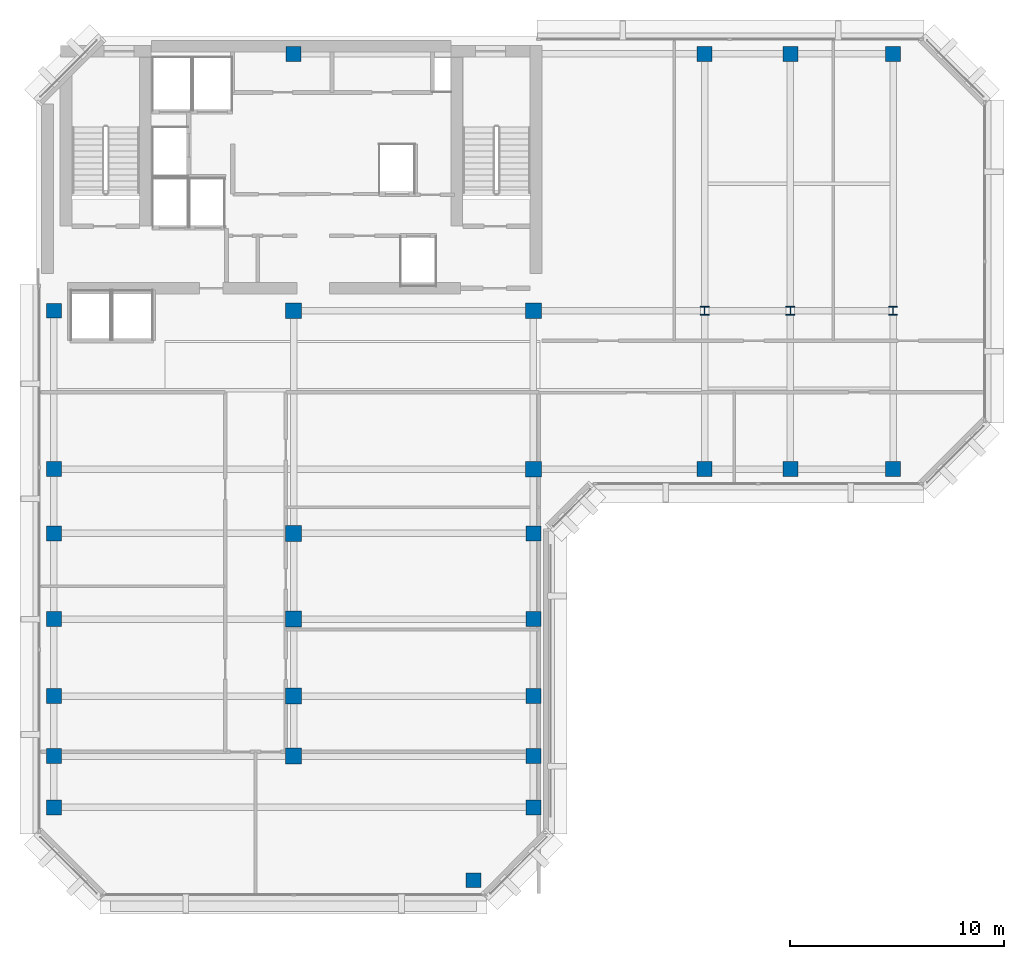
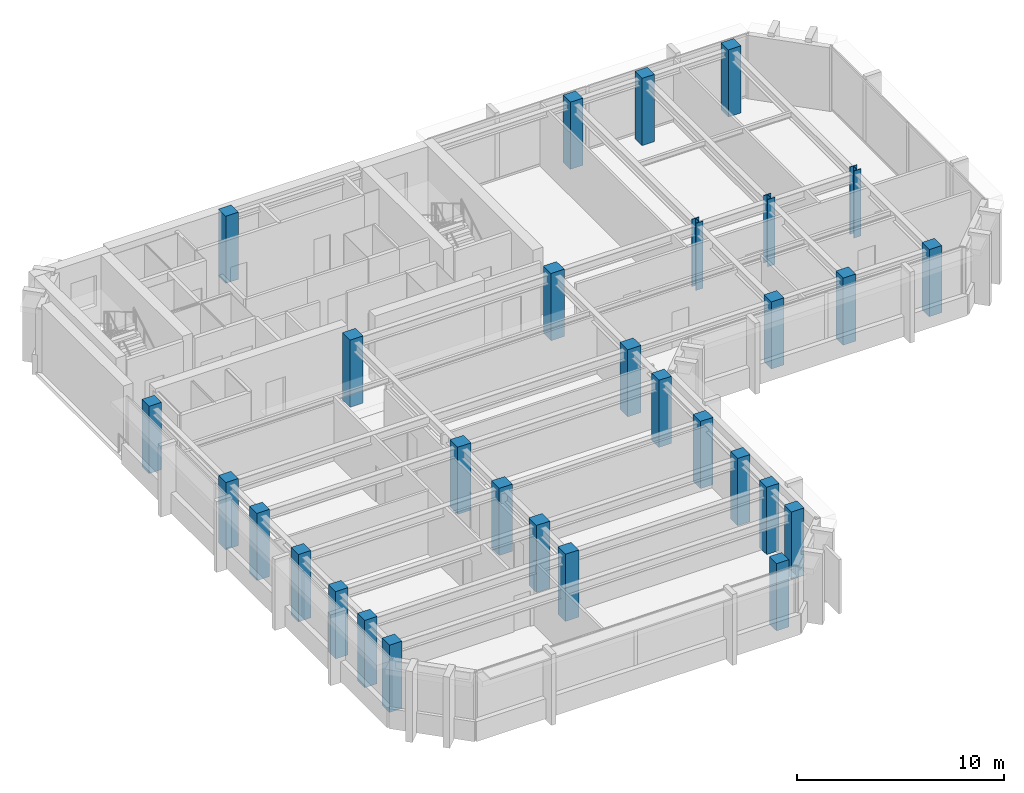
# One storey, part 1 of 11: 30 columns.
"""IFC4 building model written with IfcOpenShell, lengths in metres."""

from ifc_helpers import new_model, si_unit, direction, frame, origin, origin_2d, place, context, subcontext, project, spatial, rectangle, i_section, extrude, material, material_profile, profile_set, type_object, element, save


model = new_model("IFC4")

# Units and contexts
model_context = context("Model", 3, precision=1e-05, world=origin(), true_north=direction((0.0, 1.0)))
body_context = subcontext(model_context, "Body", "Model", "MODEL_VIEW")
ifc_project = project(units=[si_unit("LENGTHUNIT", "METRE"), si_unit("AREAUNIT", "SQUARE_METRE"), si_unit("VOLUMEUNIT", "CUBIC_METRE"), si_unit("PLANEANGLEUNIT", "RADIAN"), si_unit("MASSUNIT", "GRAM", prefix="KILO")], contexts=[model_context])

# Site, building, storey
site_placement = place(None, origin())
site = spatial("IfcSite", under=ifc_project, at=site_placement, CompositionType="ELEMENT")
building_placement = place(site_placement, origin())
building = spatial("IfcBuilding", under=site, at=building_placement, Name="Kefirva Bronze Tower", CompositionType="ELEMENT")
storey_placement = place(building_placement, frame((0.0, 0.0, 307.889892578125)))
storey = spatial("IfcBuildingStorey", under=building, at=storey_placement, Name="L75", CompositionType="ELEMENT", Elevation=307.889892578125)

# Columns
ifc_material_1 = material(Name="Concrete C50/60", Category="concrete")
ifc_material_profile_1 = material_profile(ifc_material_1, rectangle(XDim=0.699951171875, YDim=0.699951171875, at=origin_2d()), Name="RC 700x700")
ifc_profile_set_1 = profile_set([ifc_material_profile_1], Name="Concrete C50/60")
column_type_1 = type_object("IfcColumnType", Name="RC Column 700x700 Ext", PredefinedType="COLUMN", material=ifc_profile_set_1)
for number, where, z_axis, x_axis, name in (
    (1, (0.800048828125, 10.0, 0.0), (0.0, 0.0, 1.0), (1.0, 0.0, 0.0), "L75 Column C008_100"),
    (2, (0.800048828125, 12.39990234375, 0.0), (0.0, 0.0, 1.0), (1.0, 0.0, 0.0), "L75 Column C008_124"),
    (3, (0.800048828125, 15.199951171875, 0.0), (0.0, 0.0, 1.0), (1.0, 0.0, 0.0), "L75 Column C008_152"),
    (4, (0.800048828125, 18.800048828125, 0.0), (0.0, 0.0, 1.0), (1.0, 0.0, 0.0), "L75 Column C008_188"),
    (5, (0.800048828125, 22.800048828125, 0.0), (0.0, 0.0, 1.0), (1.0, 0.0, 0.0), "L75 Column C008_228"),
    (6, (0.800048828125, 25.800048828125, 0.0), (0.0, 0.0, 1.0), (1.0, 0.0, 0.0), "L75 Column C008_258"),
    (7, (0.800048828125, 33.199951171875, 0.0), (0.0, 0.0, 1.0), (1.0, 0.0, 0.0), "L75 Column C008_332"),
    (8, (12.0, 45.199951171875, 0.0), (0.0, 0.0, 1.0), (1.0, 0.0, 0.0), "L75 Column C120_452"),
    (9, (20.39990234375, 6.60009765625, 0.0), (0.0, 0.0, 1.0), (1.0, 0.0, 0.0), "L75 Column C204_066"),
    (10, (23.199951171875, 10.0, 0.0), (0.0, 0.0, 1.0), (1.0, 0.0, 0.0), "L75 Column C232_100"),
    (11, (23.199951171875, 12.39990234375, 0.0), (0.0, 0.0, 1.0), (1.0, 0.0, 0.0), "L75 Column C232_124"),
    (12, (23.199951171875, 15.199951171875, 0.0), (0.0, 0.0, 1.0), (1.0, 0.0, 0.0), "L75 Column C232_152"),
    (13, (23.199951171875, 18.800048828125, 0.0), (0.0, 0.0, 1.0), (1.0, 0.0, 0.0), "L75 Column C232_188"),
    (14, (23.199951171875, 22.800048828125, 0.0), (0.0, 0.0, 1.0), (1.0, 0.0, 0.0), "L75 Column C232_228"),
    (15, (31.199951171875, 25.800048828125, 0.0), (0.0, 0.0, 1.0), (1.0, 0.0, 0.0), "L75 Column C312_258"),
    (16, (31.199951171875, 45.199951171875, 0.0), (0.0, 0.0, 1.0), (1.0, 0.0, 0.0), "L75 Column C312_452"),
    (17, (35.199951171875, 25.800048828125, 0.0), (0.0, 0.0, 1.0), (1.0, 0.0, 0.0), "L75 Column C352_258"),
    (18, (35.199951171875, 45.199951171875, 0.0), (0.0, 0.0, 1.0), (1.0, 0.0, 0.0), "L75 Column C352_452"),
    (19, (40.0, 25.800048828125, 0.0), (0.0, 0.0, 1.0), (1.0, 0.0, 0.0), "L75 Column C400_258"),
    (20, (40.0, 45.199951171875, 0.0), (0.0, 0.0, 1.0), (1.0, 0.0, 0.0), "L75 Column C400_452"),
):
    element("IfcColumn", number, at=place(storey_placement, frame(where, z_axis=z_axis, x_axis=x_axis)), inside=storey, type_object=column_type_1, Name=name, PredefinedType="COLUMN", context=body_context, shape_type="SweptSolid", body=[
        extrude(rectangle(XDim=0.699951171875, YDim=0.699951171875, at=origin_2d()), origin(), (0.0, 0.0, 1.0), 3.960205078125),
    ])
ifc_material_profile_2 = material_profile(ifc_material_1, rectangle(XDim=0.739990234375, YDim=0.739990234375, at=origin_2d()), Name="RC 740x740")
ifc_profile_set_2 = profile_set([ifc_material_profile_2], Name="Concrete C50/60")
column_type_2 = type_object("IfcColumnType", Name="RC Column 740x740 Int", PredefinedType="COLUMN", material=ifc_profile_set_2)
for number, where, z_axis, x_axis, name in (
    (21, (12.0, 12.39990234375, 0.0), (0.0, 0.0, 1.0), (1.0, 0.0, 0.0), "L75 Column C120_124"),
    (22, (12.0, 15.199951171875, 0.0), (0.0, 0.0, 1.0), (1.0, 0.0, 0.0), "L75 Column C120_152"),
    (23, (12.0, 18.800048828125, 0.0), (0.0, 0.0, 1.0), (1.0, 0.0, 0.0), "L75 Column C120_188"),
    (24, (12.0, 22.800048828125, 0.0), (0.0, 0.0, 1.0), (1.0, 0.0, 0.0), "L75 Column C120_228"),
    (25, (12.0, 33.199951171875, 0.0), (0.0, 0.0, 1.0), (1.0, 0.0, 0.0), "L75 Column C120_332"),
    (26, (23.199951171875, 25.800048828125, 0.0), (0.0, 0.0, 1.0), (1.0, 0.0, 0.0), "L75 Column C232_258"),
    (27, (23.199951171875, 33.199951171875, 0.0), (0.0, 0.0, 1.0), (1.0, 0.0, 0.0), "L75 Column C232_332"),
):
    element("IfcColumn", number, at=place(storey_placement, frame(where, z_axis=z_axis, x_axis=x_axis)), inside=storey, type_object=column_type_2, Name=name, PredefinedType="COLUMN", context=body_context, shape_type="SweptSolid", body=[
        extrude(rectangle(XDim=0.739990234375, YDim=0.739990234375, at=origin_2d()), origin(), (0.0, 0.0, 1.0), 3.960205078125),
    ])
ifc_material_2 = material(Name="Steel S460", Category="steel")
ifc_material_profile_3 = material_profile(ifc_material_2, i_section(OverallWidth=0.406005859375, OverallDepth=0.416015625, WebThickness=0.02197265625, FlangeThickness=0.035888671875, at=origin_2d()), Name="HD 400x382")
ifc_profile_set_3 = profile_set([ifc_material_profile_3], Name="Steel S460")
column_type_3 = type_object("IfcColumnType", Name="Steel Column HD 400x382", PredefinedType="COLUMN", material=ifc_profile_set_3)
for number, where, z_axis, x_axis, name in (
    (28, (31.199951171875, 33.199951171875, 0.0), (0.0, 0.0, 1.0), (1.0, 0.0, 0.0), "L75 Column C312_332"),
    (29, (35.199951171875, 33.199951171875, 0.0), (0.0, 0.0, 1.0), (1.0, 0.0, 0.0), "L75 Column C352_332"),
    (30, (40.0, 33.199951171875, 0.0), (0.0, 0.0, 1.0), (1.0, 0.0, 0.0), "L75 Column C400_332"),
):
    element("IfcColumn", number, at=place(storey_placement, frame(where, z_axis=z_axis, x_axis=x_axis)), inside=storey, type_object=column_type_3, Name=name, PredefinedType="COLUMN", context=body_context, shape_type="SweptSolid", body=[
        extrude(i_section(OverallWidth=0.406005859375, OverallDepth=0.416015625, WebThickness=0.02197265625, FlangeThickness=0.035888671875, at=origin_2d()), origin(), (0.0, 0.0, 1.0), 3.960205078125),
    ])

save(model, "model.ifc")
